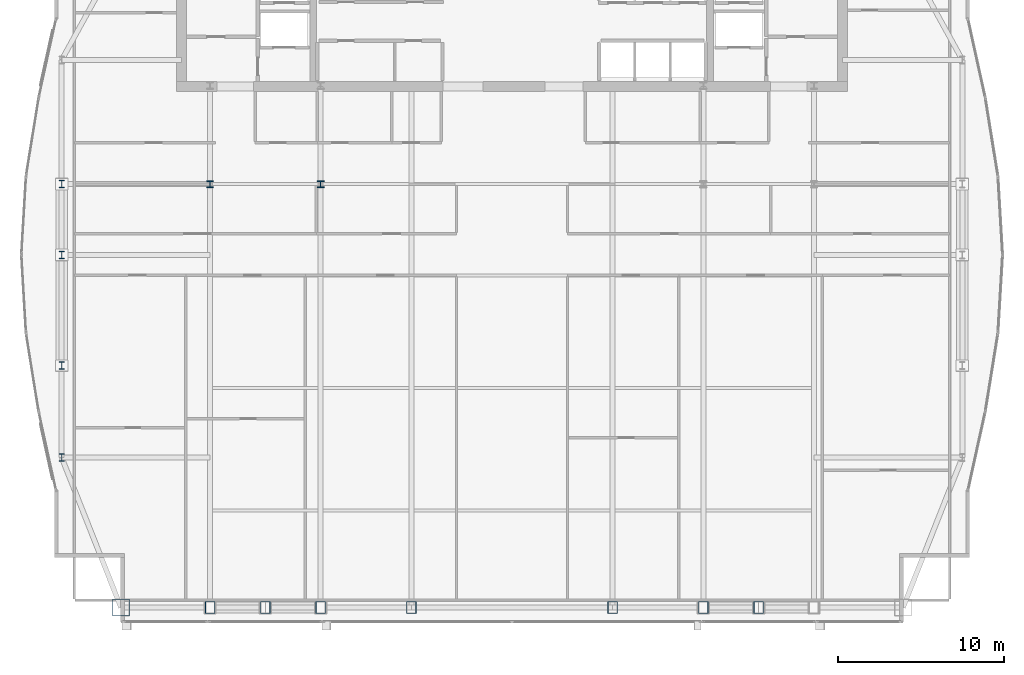
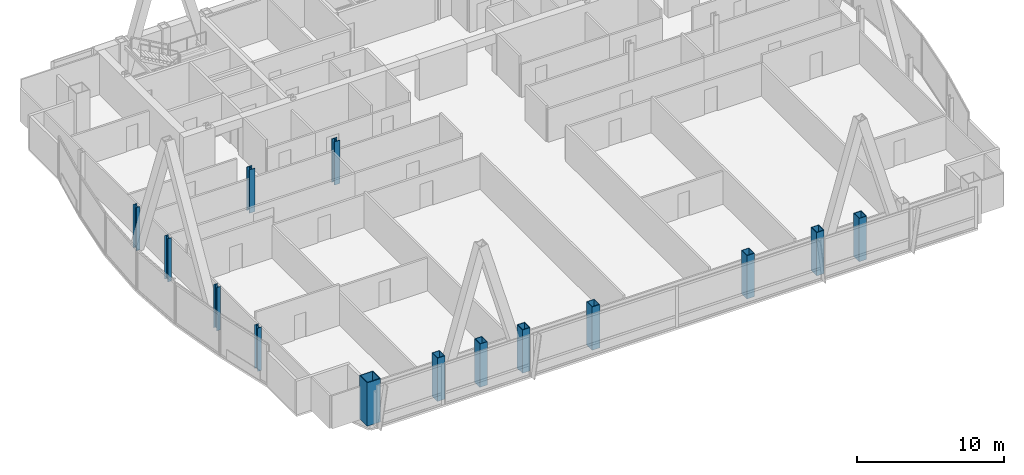
# One storey, part 1 of 31: 14 columns.
"""IFC4 building model written with IfcOpenShell, lengths in metres."""

from ifc_helpers import new_model, si_unit, direction, frame, origin, origin_2d, place, context, subcontext, project, spatial, hollow_rectangle, i_section, extrude, material, material_profile, profile_set, type_object, element, save


model = new_model("IFC4")

# Units and contexts
model_context = context("Model", 3, precision=1e-05, world=origin(), true_north=direction((0.0, 1.0)))
body_context = subcontext(model_context, "Body", "Model", "MODEL_VIEW")
ifc_project = project(units=[si_unit("LENGTHUNIT", "METRE"), si_unit("AREAUNIT", "SQUARE_METRE"), si_unit("VOLUMEUNIT", "CUBIC_METRE"), si_unit("PLANEANGLEUNIT", "RADIAN"), si_unit("MASSUNIT", "GRAM", prefix="KILO")], contexts=[model_context])

# Site, building, storey
site_placement = place(None, origin())
site = spatial("IfcSite", under=ifc_project, at=site_placement, CompositionType="ELEMENT")
building_placement = place(site_placement, origin())
building = spatial("IfcBuilding", under=site, at=building_placement, Name="Khoronbel Lancet Exchange", CompositionType="ELEMENT")
storey_placement = place(building_placement, frame((0.0, 0.0, 261.800048828125)))
storey = spatial("IfcBuildingStorey", under=building, at=storey_placement, Name="L67", CompositionType="ELEMENT", Elevation=261.800048828125)

# Columns
ifc_material_1 = material(Name="Steel S460", Category="steel")
ifc_material_profile_1 = material_profile(ifc_material_1, hollow_rectangle(XDim=0.60009765625, YDim=0.75, WallThickness=0.044921875, at=origin_2d()), Name="BOX 750x600x45")
ifc_profile_set_1 = profile_set([ifc_material_profile_1], Name="Steel S460")
column_type_1 = type_object("IfcColumnType", Name="COL-EC3", PredefinedType="COLUMN", material=ifc_profile_set_1)
for number, where, z_axis, x_axis, name in (
    (1, (18.22509765625, 10.14990234375, 0.0), (0.0, 0.0, 1.0), (1.0, 0.0, 0.0), "Structural column SC-W1 L67"),
    (2, (21.5625, 10.14990234375, 0.0), (0.0, 0.0, 1.0), (1.0, 0.0, 0.0), "Structural column SC-WM L67"),
    (3, (24.89990234375, 10.14990234375, 0.0), (0.0, 0.0, 1.0), (1.0, 0.0, 0.0), "Structural column SC-W2 L67"),
    (4, (30.375, 10.14990234375, 0.0), (0.0, 0.0, 1.0), (1.0, 0.0, 0.0), "Structural column SC-C1 L67"),
    (5, (42.52490234375, 10.14990234375, 0.0), (0.0, 0.0, 1.0), (1.0, 0.0, 0.0), "Structural column SC-C2 L67"),
    (6, (48.0, 10.14990234375, 0.0), (0.0, 0.0, 1.0), (1.0, 0.0, 0.0), "Structural column SC-E1 L67"),
    (7, (51.33740234375, 10.14990234375, 0.0), (0.0, 0.0, 1.0), (1.0, 0.0, 0.0), "Structural column SC-EM L67"),
):
    element("IfcColumn", number, at=place(storey_placement, frame(where, z_axis=z_axis, x_axis=x_axis)), inside=storey, type_object=column_type_1, Name=name, PredefinedType="COLUMN", context=body_context, shape_type="SweptSolid", body=[
        extrude(hollow_rectangle(XDim=0.60009765625, YDim=0.75, WallThickness=0.044921875, at=origin_2d()), origin(), (0.0, 0.0, 1.0), 3.599853515625),
    ])
ifc_material_2 = material(Name="Steel S355", Category="steel")
ifc_material_profile_2 = material_profile(ifc_material_2, i_section(OverallWidth=0.406005859375, OverallDepth=0.416015625, WebThickness=0.02978515625, FlangeThickness=0.048095703125, at=origin_2d()), Name="HD 400x382")
ifc_profile_set_2 = profile_set([ifc_material_profile_2], Name="Steel S355")
column_type_2 = type_object("IfcColumnType", Name="COL-IC3", PredefinedType="COLUMN", material=ifc_profile_set_2)
for number, where, z_axis, x_axis, name in (
    (8, (18.22509765625, 35.699951171875, 0.0), (0.0, 0.0, 1.0), (1.0, 0.0, 0.0), "Spine gravity column TC1 L67"),
    (9, (24.89990234375, 35.699951171875, 0.0), (0.0, 0.0, 1.0), (1.0, 0.0, 0.0), "Spine gravity column TC2 L67"),
):
    element("IfcColumn", number, at=place(storey_placement, frame(where, z_axis=z_axis, x_axis=x_axis)), inside=storey, type_object=column_type_2, Name=name, PredefinedType="COLUMN", context=body_context, shape_type="SweptSolid", body=[
        extrude(i_section(OverallWidth=0.406005859375, OverallDepth=0.416015625, WebThickness=0.02978515625, FlangeThickness=0.048095703125, at=origin_2d()), origin(), (0.0, 0.0, 1.0), 3.599853515625),
    ])
ifc_material_profile_3 = material_profile(ifc_material_2, i_section(OverallWidth=0.300048828125, OverallDepth=0.449951171875, WebThickness=0.013916015625, FlangeThickness=0.02587890625, at=origin_2d()), Name="HEB 450")
ifc_profile_set_3 = profile_set([ifc_material_profile_3], Name="Steel S355")
column_type_3 = type_object("IfcColumnType", Name="COL-LC2", PredefinedType="COLUMN", material=ifc_profile_set_3)
for number, where, z_axis, x_axis, name in (
    (10, (9.27001953125, 19.199951171875, 0.0), (0.0, 0.0, 1.0), (1.0, 0.0, 0.0), "Structural column WC-1 L67"),
    (11, (9.27001953125, 24.75, 0.0), (0.0, 0.0, 1.0), (1.0, 0.0, 0.0), "Structural column WC-2 L67"),
    (12, (9.27001953125, 31.425048828125, 0.0), (0.0, 0.0, 1.0), (1.0, 0.0, 0.0), "Structural column WC-M L67"),
    (13, (9.27001953125, 35.699951171875, 0.0), (0.0, 0.0, 1.0), (1.0, 0.0, 0.0), "Structural column WC-3 L67"),
):
    element("IfcColumn", number, at=place(storey_placement, frame(where, z_axis=z_axis, x_axis=x_axis)), inside=storey, type_object=column_type_3, Name=name, PredefinedType="COLUMN", context=body_context, shape_type="SweptSolid", body=[
        extrude(i_section(OverallWidth=0.300048828125, OverallDepth=0.449951171875, WebThickness=0.013916015625, FlangeThickness=0.02587890625, at=origin_2d()), origin(), (0.0, 0.0, 1.0), 3.599853515625),
    ])
ifc_material_profile_4 = material_profile(ifc_material_1, hollow_rectangle(XDim=1.050048828125, YDim=1.050048828125, WallThickness=0.054931640625, at=origin_2d()), Name="BOX 1050x1050x55")
ifc_profile_set_4 = profile_set([ifc_material_profile_4], Name="Steel S460")
column_type_4 = type_object("IfcColumnType", Name="COL-MC6", PredefinedType="COLUMN", material=ifc_profile_set_4)
column_placement = place(storey_placement, frame((12.85009765625, 10.14990234375, 0.0), z_axis=(0.0, 0.0, 1.0), x_axis=(1.0, 0.0, 0.0)))
element("IfcColumn", 14, at=column_placement, inside=storey, type_object=column_type_4, Name="Structural column MC-SW L67", PredefinedType="COLUMN", context=body_context, shape_type="SweptSolid", body=[
    extrude(hollow_rectangle(XDim=1.050048828125, YDim=1.050048828125, WallThickness=0.054931640625, at=origin_2d()), origin(), (0.0, 0.0, 1.0), 3.599853515625),
])

save(model, "model.ifc")
